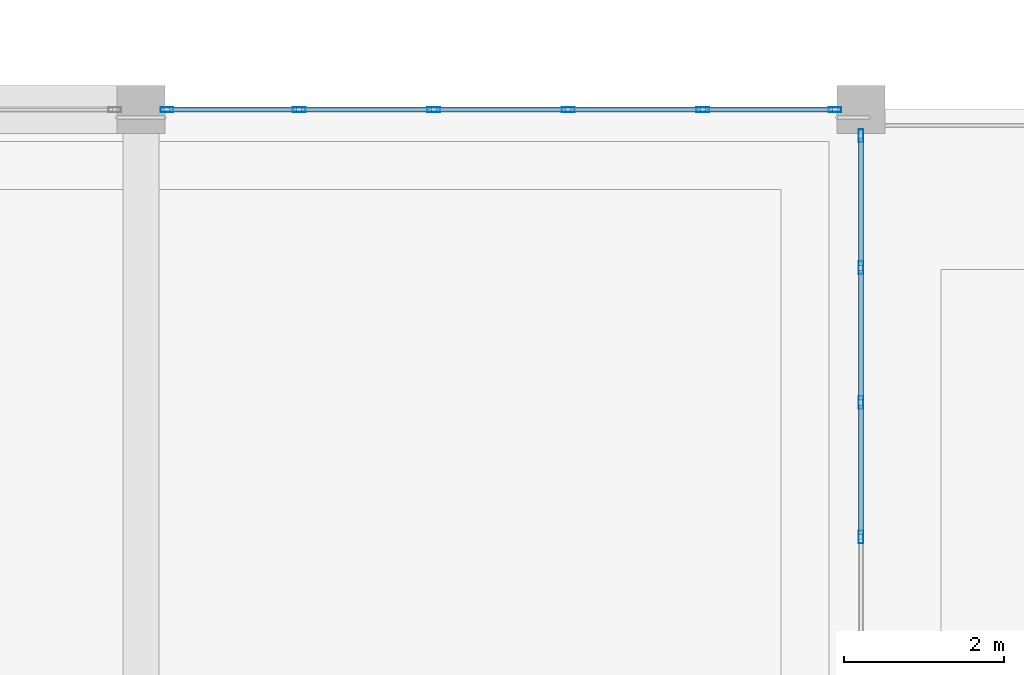
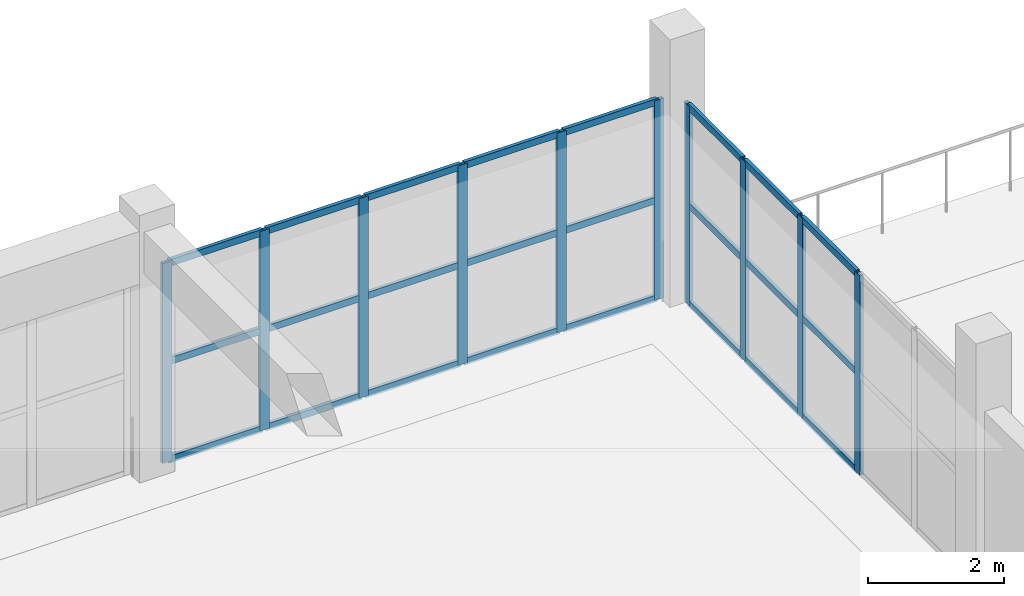
# One storey, part 33 of 89: 34 members, 2 elements without a shape of their own.
"""IFC4 building model written with IfcOpenShell, lengths in metres."""

from ifc_helpers import new_model, si_unit, direction, frame, origin, origin_2d, place, context, subcontext, project, spatial, hollow_rectangle, extrude, material, layer, layer_set, material_profile, profile_set, type_object, element, aggregate, save


model = new_model("IFC4")

# Units and contexts
model_context = context("Model", 3, precision=1e-05, world=origin(), true_north=direction((0.0, 1.0)))
body_context = subcontext(model_context, "Body", "Model", "MODEL_VIEW")
ifc_project = project(units=[si_unit("LENGTHUNIT", "METRE"), si_unit("AREAUNIT", "SQUARE_METRE"), si_unit("VOLUMEUNIT", "CUBIC_METRE"), si_unit("PLANEANGLEUNIT", "RADIAN"), si_unit("MASSUNIT", "GRAM", prefix="KILO")], contexts=[model_context])

# Site, building, storey
site_placement = place(None, origin())
site = spatial("IfcSite", under=ifc_project, at=site_placement, CompositionType="ELEMENT")
building_placement = place(site_placement, origin())
building = spatial("IfcBuilding", under=site, at=building_placement, Name="Dornveld Trade and Exhibition Forum", CompositionType="ELEMENT")
storey_placement = place(building_placement, frame((0.0, 0.0, 12.0)))
storey = spatial("IfcBuildingStorey", under=building, at=storey_placement, Name="L02", CompositionType="ELEMENT", Elevation=12.0)

# Curtain wall, members
ifc_material_1 = material(Name="Dark-bronze anodised aluminium and low-E glass", Category="aluminium")
ifc_layer_1 = layer(ifc_material_1, 0.1630859375)
ifc_layer_set_1 = layer_set([ifc_layer_1], Name="Dark-bronze anodised aluminium and low-E glass")
curtain_wall_type_1 = type_object("IfcCurtainWallType", Name="CW-SYS-07", PredefinedType="USERDEFINED", material=ifc_layer_set_1)
curtain_wall_1_placement = place(storey_placement, origin())
curtain_wall_1 = element("IfcCurtainWall", 1, at=curtain_wall_1_placement, inside=storey, type_object=curtain_wall_type_1, Name="L02 unitised curtain wall 79", ObjectType="UNITISED_CURTAIN_WALL", PredefinedType="USERDEFINED")
ifc_material_2 = material(Name="Dark-bronze anodised aluminium", Category="aluminium")
ifc_material_profile_1 = material_profile(ifc_material_2, hollow_rectangle(XDim=0.06005859375, YDim=0.159912109375, WallThickness=0.00390625, at=origin_2d()), Name="RHS 160x60x4")
ifc_profile_set_1 = profile_set([ifc_material_profile_1], Name="Dark-bronze anodised aluminium")
member_type_1 = type_object("IfcMemberType", Name="CW-MUL-160", PredefinedType="MULLION", material=ifc_profile_set_1)
member_1_placement = place(storey_placement, frame((225.0, 48.6591796875, -0.00390625), z_axis=(0.0, 0.0, 1.0), x_axis=(-1.0, 0.0, 0.0)))
member_1 = element("IfcMember", 2, at=member_1_placement, type_object=member_type_1, Name="CW-07 mullion 3", PredefinedType="MULLION", context=body_context, shape_type="SweptSolid", body=[
    extrude(hollow_rectangle(XDim=0.06005859375, YDim=0.159912109375, WallThickness=0.00390625, at=origin_2d()), origin(), (0.0, 0.0, 1.0), 3.583984375),
])
member_2_placement = place(storey_placement, frame((225.0, 50.3408203125, -0.00390625), z_axis=(0.0, 0.0, 1.0), x_axis=(-1.0, 0.0, 0.0)))
member_2 = element("IfcMember", 3, at=member_2_placement, type_object=member_type_1, Name="CW-07 mullion 4", PredefinedType="MULLION", context=body_context, shape_type="SweptSolid", body=[
    extrude(hollow_rectangle(XDim=0.06005859375, YDim=0.159912109375, WallThickness=0.00390625, at=origin_2d()), origin(), (0.0, 0.0, 1.0), 3.583984375),
])
member_3_placement = place(storey_placement, frame((225.0, 52.0224609375, -0.00390625), z_axis=(0.0, 0.0, 1.0), x_axis=(-1.0, 0.0, 0.0)))
member_3 = element("IfcMember", 4, at=member_3_placement, type_object=member_type_1, Name="CW-07 mullion 5", PredefinedType="MULLION", context=body_context, shape_type="SweptSolid", body=[
    extrude(hollow_rectangle(XDim=0.06005859375, YDim=0.159912109375, WallThickness=0.00390625, at=origin_2d()), origin(), (0.0, 0.0, 1.0), 3.583984375),
])
member_4_placement = place(storey_placement, frame((225.0, 53.674072265625, -0.00390625), z_axis=(0.0, 0.0, 1.0), x_axis=(-1.0, 0.0, 0.0)))
member_4 = element("IfcMember", 5, at=member_4_placement, type_object=member_type_1, Name="CW-07 mullion 6", PredefinedType="MULLION", context=body_context, shape_type="SweptSolid", body=[
    extrude(hollow_rectangle(XDim=0.06005859375, YDim=0.159912109375, WallThickness=0.00390625, at=origin_2d()), origin(), (0.0, 0.0, 1.0), 3.583984375),
])

ifc_material_3 = material(Name="Dark-bronze anodised aluminium and low-E glass", Category="aluminium")
ifc_layer_2 = layer(ifc_material_3, 0.15087890625)
ifc_layer_set_2 = layer_set([ifc_layer_2], Name="Dark-bronze anodised aluminium and low-E glass")
curtain_wall_type_2 = type_object("IfcCurtainWallType", Name="CW-SYS-03", PredefinedType="USERDEFINED", material=ifc_layer_set_2)
curtain_wall_2_placement = place(storey_placement, origin())
curtain_wall_2 = element("IfcCurtainWall", 6, at=curtain_wall_2_placement, inside=storey, type_object=curtain_wall_type_2, Name="L02 unitised curtain wall 93", ObjectType="UNITISED_CURTAIN_WALL", PredefinedType="USERDEFINED")
member_5_placement = place(storey_placement, frame((224.674072265625, 54.0, -0.00390625), z_axis=(0.0, 0.0, 1.0), x_axis=(0.0, -1.0, 0.0)))
member_5 = element("IfcMember", 7, at=member_5_placement, type_object=member_type_1, Name="CW-03 mullion 1", PredefinedType="MULLION", context=body_context, shape_type="SweptSolid", body=[
    extrude(hollow_rectangle(XDim=0.06005859375, YDim=0.159912109375, WallThickness=0.00390625, at=origin_2d()), origin(), (0.0, 0.0, 1.0), 3.583984375),
])
member_6_placement = place(storey_placement, frame((223.0224609375, 54.0, -0.00390625), z_axis=(0.0, 0.0, 1.0), x_axis=(0.0, -1.0, 0.0)))
member_6 = element("IfcMember", 8, at=member_6_placement, type_object=member_type_1, Name="CW-03 mullion 2", PredefinedType="MULLION", context=body_context, shape_type="SweptSolid", body=[
    extrude(hollow_rectangle(XDim=0.06005859375, YDim=0.159912109375, WallThickness=0.00390625, at=origin_2d()), origin(), (0.0, 0.0, 1.0), 3.583984375),
])
member_7_placement = place(storey_placement, frame((221.3408203125, 54.0, -0.00390625), z_axis=(0.0, 0.0, 1.0), x_axis=(0.0, -1.0, 0.0)))
member_7 = element("IfcMember", 9, at=member_7_placement, type_object=member_type_1, Name="CW-03 mullion 3", PredefinedType="MULLION", context=body_context, shape_type="SweptSolid", body=[
    extrude(hollow_rectangle(XDim=0.06005859375, YDim=0.159912109375, WallThickness=0.00390625, at=origin_2d()), origin(), (0.0, 0.0, 1.0), 3.583984375),
])
member_8_placement = place(storey_placement, frame((219.6591796875, 54.0, -0.00390625), z_axis=(0.0, 0.0, 1.0), x_axis=(0.0, -1.0, 0.0)))
member_8 = element("IfcMember", 10, at=member_8_placement, type_object=member_type_1, Name="CW-03 mullion 4", PredefinedType="MULLION", context=body_context, shape_type="SweptSolid", body=[
    extrude(hollow_rectangle(XDim=0.06005859375, YDim=0.159912109375, WallThickness=0.00390625, at=origin_2d()), origin(), (0.0, 0.0, 1.0), 3.583984375),
])
member_9_placement = place(storey_placement, frame((217.9775390625, 54.0, -0.00390625), z_axis=(0.0, 0.0, 1.0), x_axis=(0.0, -1.0, 0.0)))
member_9 = element("IfcMember", 11, at=member_9_placement, type_object=member_type_1, Name="CW-03 mullion 5", PredefinedType="MULLION", context=body_context, shape_type="SweptSolid", body=[
    extrude(hollow_rectangle(XDim=0.06005859375, YDim=0.159912109375, WallThickness=0.00390625, at=origin_2d()), origin(), (0.0, 0.0, 1.0), 3.583984375),
])
member_10_placement = place(storey_placement, frame((216.325927734375, 54.0, -0.00390625), z_axis=(0.0, 0.0, 1.0), x_axis=(0.0, -1.0, 0.0)))
member_10 = element("IfcMember", 12, at=member_10_placement, type_object=member_type_1, Name="CW-03 mullion 6", PredefinedType="MULLION", context=body_context, shape_type="SweptSolid", body=[
    extrude(hollow_rectangle(XDim=0.06005859375, YDim=0.159912109375, WallThickness=0.00390625, at=origin_2d()), origin(), (0.0, 0.0, 1.0), 3.583984375),
])

# Member
ifc_material_4 = material(Name="Dark-bronze anodised aluminium", Category="aluminium")
ifc_material_profile_2 = material_profile(ifc_material_4, hollow_rectangle(XDim=0.06005859375, YDim=0.1201171875, WallThickness=0.00390625, at=origin_2d()), Name="RHS 120x60x4")
ifc_profile_set_2 = profile_set([ifc_material_profile_2], Name="Dark-bronze anodised aluminium")
member_type_2 = type_object("IfcMemberType", Name="CW-TRN-120", PredefinedType="USERDEFINED", material=ifc_profile_set_2)
member_11_placement = place(storey_placement, frame((225.0, 48.689208984375, 0.02587890625), z_axis=(0.0, 1.0, 0.0), x_axis=(-1.0, 0.0, 0.0)))
member_11 = element("IfcMember", 13, at=member_11_placement, type_object=member_type_2, Name="CW-07 transom 3.1", ObjectType="TRANSOM", PredefinedType="USERDEFINED", context=body_context, shape_type="SweptSolid", body=[
    extrude(hollow_rectangle(XDim=0.06005859375, YDim=0.1201171875, WallThickness=0.00390625, at=origin_2d()), origin(), (0.0, 0.0, 1.0), 1.62158203125),
])

member_12_placement = place(storey_placement, frame((225.0, 48.689208984375, 1.7880859375), z_axis=(0.0, 1.0, 0.0), x_axis=(-1.0, 0.0, 0.0)))
member_12 = element("IfcMember", 14, at=member_12_placement, type_object=member_type_2, Name="CW-07 transom 3.2", ObjectType="TRANSOM", PredefinedType="USERDEFINED", context=body_context, shape_type="SweptSolid", body=[
    extrude(hollow_rectangle(XDim=0.06005859375, YDim=0.1201171875, WallThickness=0.00390625, at=origin_2d()), origin(), (0.0, 0.0, 1.0), 1.62158203125),
])

member_13_placement = place(storey_placement, frame((225.0, 48.689208984375, 3.550048828125), z_axis=(0.0, 1.0, 0.0), x_axis=(-1.0, 0.0, 0.0)))
member_13 = element("IfcMember", 15, at=member_13_placement, type_object=member_type_2, Name="CW-07 transom 3.3", ObjectType="TRANSOM", PredefinedType="USERDEFINED", context=body_context, shape_type="SweptSolid", body=[
    extrude(hollow_rectangle(XDim=0.06005859375, YDim=0.1201171875, WallThickness=0.00390625, at=origin_2d()), origin(), (0.0, 0.0, 1.0), 1.62158203125),
])

member_14_placement = place(storey_placement, frame((225.0, 50.370849609375, 0.02587890625), z_axis=(0.0, 1.0, 0.0), x_axis=(-1.0, 0.0, 0.0)))
member_14 = element("IfcMember", 16, at=member_14_placement, type_object=member_type_2, Name="CW-07 transom 4.1", ObjectType="TRANSOM", PredefinedType="USERDEFINED", context=body_context, shape_type="SweptSolid", body=[
    extrude(hollow_rectangle(XDim=0.06005859375, YDim=0.1201171875, WallThickness=0.00390625, at=origin_2d()), origin(), (0.0, 0.0, 1.0), 1.62158203125),
])

member_15_placement = place(storey_placement, frame((225.0, 50.370849609375, 1.7880859375), z_axis=(0.0, 1.0, 0.0), x_axis=(-1.0, 0.0, 0.0)))
member_15 = element("IfcMember", 17, at=member_15_placement, type_object=member_type_2, Name="CW-07 transom 4.2", ObjectType="TRANSOM", PredefinedType="USERDEFINED", context=body_context, shape_type="SweptSolid", body=[
    extrude(hollow_rectangle(XDim=0.06005859375, YDim=0.1201171875, WallThickness=0.00390625, at=origin_2d()), origin(), (0.0, 0.0, 1.0), 1.62158203125),
])

member_16_placement = place(storey_placement, frame((225.0, 50.370849609375, 3.550048828125), z_axis=(0.0, 1.0, 0.0), x_axis=(-1.0, 0.0, 0.0)))
member_16 = element("IfcMember", 18, at=member_16_placement, type_object=member_type_2, Name="CW-07 transom 4.3", ObjectType="TRANSOM", PredefinedType="USERDEFINED", context=body_context, shape_type="SweptSolid", body=[
    extrude(hollow_rectangle(XDim=0.06005859375, YDim=0.1201171875, WallThickness=0.00390625, at=origin_2d()), origin(), (0.0, 0.0, 1.0), 1.62158203125),
])

member_17_placement = place(storey_placement, frame((225.0, 52.052490234375, 0.02587890625), z_axis=(0.0, 1.0, 0.0), x_axis=(-1.0, 0.0, 0.0)))
member_17 = element("IfcMember", 19, at=member_17_placement, type_object=member_type_2, Name="CW-07 transom 5.1", ObjectType="TRANSOM", PredefinedType="USERDEFINED", context=body_context, shape_type="SweptSolid", body=[
    extrude(hollow_rectangle(XDim=0.06005859375, YDim=0.1201171875, WallThickness=0.00390625, at=origin_2d()), origin(), (0.0, 0.0, 1.0), 1.591552734375),
])

member_18_placement = place(storey_placement, frame((225.0, 52.052490234375, 1.7880859375), z_axis=(0.0, 1.0, 0.0), x_axis=(-1.0, 0.0, 0.0)))
member_18 = element("IfcMember", 20, at=member_18_placement, type_object=member_type_2, Name="CW-07 transom 5.2", ObjectType="TRANSOM", PredefinedType="USERDEFINED", context=body_context, shape_type="SweptSolid", body=[
    extrude(hollow_rectangle(XDim=0.06005859375, YDim=0.1201171875, WallThickness=0.00390625, at=origin_2d()), origin(), (0.0, 0.0, 1.0), 1.591552734375),
])

member_19_placement = place(storey_placement, frame((225.0, 52.052490234375, 3.550048828125), z_axis=(0.0, 1.0, 0.0), x_axis=(-1.0, 0.0, 0.0)))
member_19 = element("IfcMember", 21, at=member_19_placement, type_object=member_type_2, Name="CW-07 transom 5.3", ObjectType="TRANSOM", PredefinedType="USERDEFINED", context=body_context, shape_type="SweptSolid", body=[
    extrude(hollow_rectangle(XDim=0.06005859375, YDim=0.1201171875, WallThickness=0.00390625, at=origin_2d()), origin(), (0.0, 0.0, 1.0), 1.591552734375),
])

aggregate(curtain_wall_1, [member_1, member_2, member_3, member_4, member_11, member_12, member_13, member_14, member_15, member_16, member_17, member_18, member_19])

member_20_placement = place(storey_placement, frame((224.64404296875, 54.0, 0.02587890625), z_axis=(-1.0, 0.0, 0.0), x_axis=(0.0, -1.0, 0.0)))
member_20 = element("IfcMember", 22, at=member_20_placement, type_object=member_type_2, Name="CW-03 transom 1.1", ObjectType="TRANSOM", PredefinedType="USERDEFINED", context=body_context, shape_type="SweptSolid", body=[
    extrude(hollow_rectangle(XDim=0.06005859375, YDim=0.1201171875, WallThickness=0.00390625, at=origin_2d()), origin(), (0.0, 0.0, 1.0), 1.591552734375),
])

member_21_placement = place(storey_placement, frame((224.64404296875, 54.0, 1.7880859375), z_axis=(-1.0, 0.0, 0.0), x_axis=(0.0, -1.0, 0.0)))
member_21 = element("IfcMember", 23, at=member_21_placement, type_object=member_type_2, Name="CW-03 transom 1.2", ObjectType="TRANSOM", PredefinedType="USERDEFINED", context=body_context, shape_type="SweptSolid", body=[
    extrude(hollow_rectangle(XDim=0.06005859375, YDim=0.1201171875, WallThickness=0.00390625, at=origin_2d()), origin(), (0.0, 0.0, 1.0), 1.591552734375),
])

member_22_placement = place(storey_placement, frame((224.64404296875, 54.0, 3.550048828125), z_axis=(-1.0, 0.0, 0.0), x_axis=(0.0, -1.0, 0.0)))
member_22 = element("IfcMember", 24, at=member_22_placement, type_object=member_type_2, Name="CW-03 transom 1.3", ObjectType="TRANSOM", PredefinedType="USERDEFINED", context=body_context, shape_type="SweptSolid", body=[
    extrude(hollow_rectangle(XDim=0.06005859375, YDim=0.1201171875, WallThickness=0.00390625, at=origin_2d()), origin(), (0.0, 0.0, 1.0), 1.591552734375),
])

member_23_placement = place(storey_placement, frame((222.992431640625, 54.0, 0.02587890625), z_axis=(-1.0, 0.0, 0.0), x_axis=(0.0, -1.0, 0.0)))
member_23 = element("IfcMember", 25, at=member_23_placement, type_object=member_type_2, Name="CW-03 transom 2.1", ObjectType="TRANSOM", PredefinedType="USERDEFINED", context=body_context, shape_type="SweptSolid", body=[
    extrude(hollow_rectangle(XDim=0.06005859375, YDim=0.1201171875, WallThickness=0.00390625, at=origin_2d()), origin(), (0.0, 0.0, 1.0), 1.62158203125),
])

member_24_placement = place(storey_placement, frame((222.992431640625, 54.0, 1.7880859375), z_axis=(-1.0, 0.0, 0.0), x_axis=(0.0, -1.0, 0.0)))
member_24 = element("IfcMember", 26, at=member_24_placement, type_object=member_type_2, Name="CW-03 transom 2.2", ObjectType="TRANSOM", PredefinedType="USERDEFINED", context=body_context, shape_type="SweptSolid", body=[
    extrude(hollow_rectangle(XDim=0.06005859375, YDim=0.1201171875, WallThickness=0.00390625, at=origin_2d()), origin(), (0.0, 0.0, 1.0), 1.62158203125),
])

member_25_placement = place(storey_placement, frame((222.992431640625, 54.0, 3.550048828125), z_axis=(-1.0, 0.0, 0.0), x_axis=(0.0, -1.0, 0.0)))
member_25 = element("IfcMember", 27, at=member_25_placement, type_object=member_type_2, Name="CW-03 transom 2.3", ObjectType="TRANSOM", PredefinedType="USERDEFINED", context=body_context, shape_type="SweptSolid", body=[
    extrude(hollow_rectangle(XDim=0.06005859375, YDim=0.1201171875, WallThickness=0.00390625, at=origin_2d()), origin(), (0.0, 0.0, 1.0), 1.62158203125),
])

member_26_placement = place(storey_placement, frame((221.310791015625, 54.0, 0.02587890625), z_axis=(-1.0, 0.0, 0.0), x_axis=(0.0, -1.0, 0.0)))
member_26 = element("IfcMember", 28, at=member_26_placement, type_object=member_type_2, Name="CW-03 transom 3.1", ObjectType="TRANSOM", PredefinedType="USERDEFINED", context=body_context, shape_type="SweptSolid", body=[
    extrude(hollow_rectangle(XDim=0.06005859375, YDim=0.1201171875, WallThickness=0.00390625, at=origin_2d()), origin(), (0.0, 0.0, 1.0), 1.62158203125),
])

member_27_placement = place(storey_placement, frame((221.310791015625, 54.0, 1.7880859375), z_axis=(-1.0, 0.0, 0.0), x_axis=(0.0, -1.0, 0.0)))
member_27 = element("IfcMember", 29, at=member_27_placement, type_object=member_type_2, Name="CW-03 transom 3.2", ObjectType="TRANSOM", PredefinedType="USERDEFINED", context=body_context, shape_type="SweptSolid", body=[
    extrude(hollow_rectangle(XDim=0.06005859375, YDim=0.1201171875, WallThickness=0.00390625, at=origin_2d()), origin(), (0.0, 0.0, 1.0), 1.62158203125),
])

member_28_placement = place(storey_placement, frame((221.310791015625, 54.0, 3.550048828125), z_axis=(-1.0, 0.0, 0.0), x_axis=(0.0, -1.0, 0.0)))
member_28 = element("IfcMember", 30, at=member_28_placement, type_object=member_type_2, Name="CW-03 transom 3.3", ObjectType="TRANSOM", PredefinedType="USERDEFINED", context=body_context, shape_type="SweptSolid", body=[
    extrude(hollow_rectangle(XDim=0.06005859375, YDim=0.1201171875, WallThickness=0.00390625, at=origin_2d()), origin(), (0.0, 0.0, 1.0), 1.62158203125),
])

member_29_placement = place(storey_placement, frame((219.629150390625, 54.0, 0.02587890625), z_axis=(-1.0, 0.0, 0.0), x_axis=(0.0, -1.0, 0.0)))
member_29 = element("IfcMember", 31, at=member_29_placement, type_object=member_type_2, Name="CW-03 transom 4.1", ObjectType="TRANSOM", PredefinedType="USERDEFINED", context=body_context, shape_type="SweptSolid", body=[
    extrude(hollow_rectangle(XDim=0.06005859375, YDim=0.1201171875, WallThickness=0.00390625, at=origin_2d()), origin(), (0.0, 0.0, 1.0), 1.62158203125),
])

member_30_placement = place(storey_placement, frame((219.629150390625, 54.0, 1.7880859375), z_axis=(-1.0, 0.0, 0.0), x_axis=(0.0, -1.0, 0.0)))
member_30 = element("IfcMember", 32, at=member_30_placement, type_object=member_type_2, Name="CW-03 transom 4.2", ObjectType="TRANSOM", PredefinedType="USERDEFINED", context=body_context, shape_type="SweptSolid", body=[
    extrude(hollow_rectangle(XDim=0.06005859375, YDim=0.1201171875, WallThickness=0.00390625, at=origin_2d()), origin(), (0.0, 0.0, 1.0), 1.62158203125),
])

member_31_placement = place(storey_placement, frame((219.629150390625, 54.0, 3.550048828125), z_axis=(-1.0, 0.0, 0.0), x_axis=(0.0, -1.0, 0.0)))
member_31 = element("IfcMember", 33, at=member_31_placement, type_object=member_type_2, Name="CW-03 transom 4.3", ObjectType="TRANSOM", PredefinedType="USERDEFINED", context=body_context, shape_type="SweptSolid", body=[
    extrude(hollow_rectangle(XDim=0.06005859375, YDim=0.1201171875, WallThickness=0.00390625, at=origin_2d()), origin(), (0.0, 0.0, 1.0), 1.62158203125),
])

member_32_placement = place(storey_placement, frame((217.947509765625, 54.0, 0.02587890625), z_axis=(-1.0, 0.0, 0.0), x_axis=(0.0, -1.0, 0.0)))
member_32 = element("IfcMember", 34, at=member_32_placement, type_object=member_type_2, Name="CW-03 transom 5.1", ObjectType="TRANSOM", PredefinedType="USERDEFINED", context=body_context, shape_type="SweptSolid", body=[
    extrude(hollow_rectangle(XDim=0.06005859375, YDim=0.1201171875, WallThickness=0.00390625, at=origin_2d()), origin(), (0.0, 0.0, 1.0), 1.591552734375),
])

member_33_placement = place(storey_placement, frame((217.947509765625, 54.0, 1.7880859375), z_axis=(-1.0, 0.0, 0.0), x_axis=(0.0, -1.0, 0.0)))
member_33 = element("IfcMember", 35, at=member_33_placement, type_object=member_type_2, Name="CW-03 transom 5.2", ObjectType="TRANSOM", PredefinedType="USERDEFINED", context=body_context, shape_type="SweptSolid", body=[
    extrude(hollow_rectangle(XDim=0.06005859375, YDim=0.1201171875, WallThickness=0.00390625, at=origin_2d()), origin(), (0.0, 0.0, 1.0), 1.591552734375),
])

member_34_placement = place(storey_placement, frame((217.947509765625, 54.0, 3.550048828125), z_axis=(-1.0, 0.0, 0.0), x_axis=(0.0, -1.0, 0.0)))
member_34 = element("IfcMember", 36, at=member_34_placement, type_object=member_type_2, Name="CW-03 transom 5.3", ObjectType="TRANSOM", PredefinedType="USERDEFINED", context=body_context, shape_type="SweptSolid", body=[
    extrude(hollow_rectangle(XDim=0.06005859375, YDim=0.1201171875, WallThickness=0.00390625, at=origin_2d()), origin(), (0.0, 0.0, 1.0), 1.591552734375),
])

aggregate(curtain_wall_2, [member_5, member_6, member_7, member_8, member_9, member_10, member_20, member_21, member_22, member_23, member_24, member_25, member_26, member_27, member_28, member_29, member_30, member_31, member_32, member_33, member_34])

save(model, "model.ifc")
